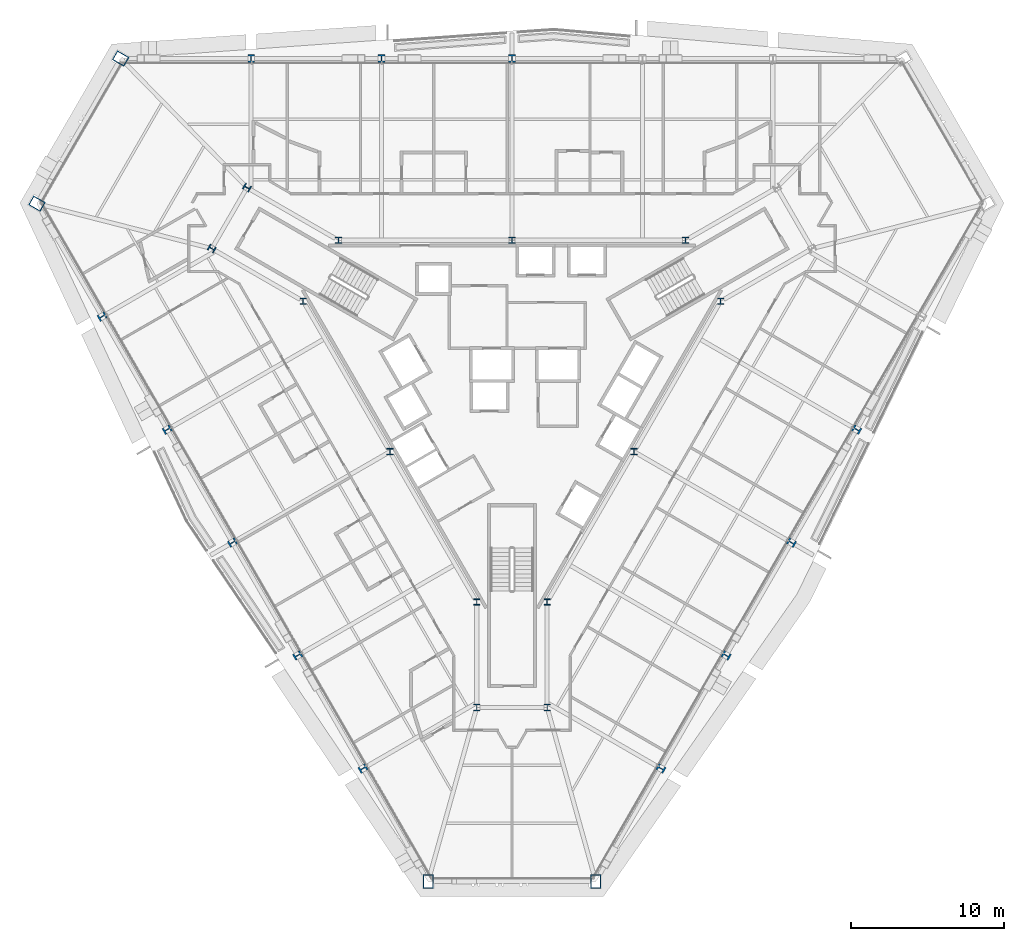
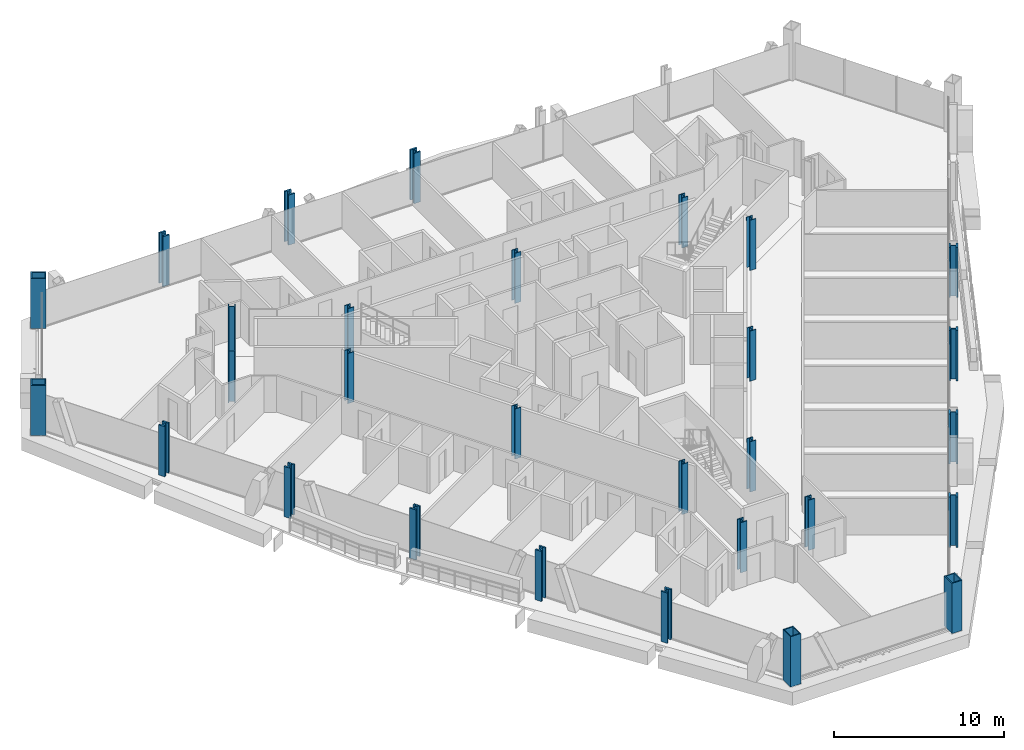
# One storey, part 1 of 18: 29 columns.
"""IFC4 building model written with IfcOpenShell, lengths in metres."""

from ifc_helpers import new_model, si_unit, direction, frame, origin, origin_2d, place, context, subcontext, project, spatial, hollow_rectangle, i_section, extrude, material, material_profile, profile_set, type_object, element, save


model = new_model("IFC4")

# Units and contexts
model_context = context("Model", 3, precision=1e-05, world=origin(), true_north=direction((0.0, 1.0)))
body_context = subcontext(model_context, "Body", "Model", "MODEL_VIEW")
ifc_project = project(units=[si_unit("LENGTHUNIT", "METRE"), si_unit("AREAUNIT", "SQUARE_METRE"), si_unit("VOLUMEUNIT", "CUBIC_METRE"), si_unit("PLANEANGLEUNIT", "RADIAN"), si_unit("MASSUNIT", "GRAM", prefix="KILO")], contexts=[model_context])

# Site, building, storey
site_placement = place(None, origin())
site = spatial("IfcSite", under=ifc_project, at=site_placement, CompositionType="ELEMENT")
building_placement = place(site_placement, origin())
building = spatial("IfcBuilding", under=site, at=building_placement, Name="Verrane Prism Tower", CompositionType="ELEMENT")
storey_placement = place(building_placement, frame((0.0, 0.0, 54.800048828125)))
storey = spatial("IfcBuildingStorey", under=building, at=storey_placement, Name="L11", CompositionType="ELEMENT", Elevation=54.800048828125)

# Columns
ifc_material_1 = material(Name="Steel A992", Category="steel")
ifc_material_profile_1 = material_profile(ifc_material_1, i_section(OverallWidth=0.419189453125, OverallDepth=0.45458984375, WebThickness=0.042236328125, FlangeThickness=0.067626953125, FilletRadius=0.01513671875, at=origin_2d()), Name="W14x370")
ifc_profile_set_1 = profile_set([ifc_material_profile_1], Name="Steel A992")
column_type_1 = type_object("IfcColumnType", Name="Core corner column W14x370", PredefinedType="COLUMN", material=ifc_profile_set_1)
for number, where, z_axis, x_axis, name in (
    (1, (-17.300048828125, 12.639892578125, 0.0), (0.0, 0.0, 1.0), (0.5, 0.866025403784, 0.0), "Core corner column CK-NWm L11"),
    (2, (-19.60009765625, 8.659912109375, 0.0), (0.0, 0.0, 1.0), (0.5, 0.866025403784, 0.0), "Core corner column CK-NWp L11"),
    (3, (-2.300048828125, -21.300048828125, 0.0), (0.0, 0.0, 1.0), (-1.0, 0.0, 0.0), "Core corner column CK-Sm L11"),
    (4, (2.300048828125, -21.300048828125, 0.0), (0.0, 0.0, 1.0), (-1.0, 0.0, 0.0), "Core corner column CK-Sp L11"),
):
    element("IfcColumn", number, at=place(storey_placement, frame(where, z_axis=z_axis, x_axis=x_axis)), inside=storey, type_object=column_type_1, Name=name, PredefinedType="COLUMN", context=body_context, shape_type="SweptSolid", body=[
        extrude(i_section(OverallWidth=0.419189453125, OverallDepth=0.45458984375, WebThickness=0.042236328125, FlangeThickness=0.067626953125, FilletRadius=0.01513671875, at=origin_2d()), origin(), (0.0, 0.0, 1.0), 3.599853515625),
    ])
ifc_material_2 = material(Name="Steel A992", Category="steel")
ifc_material_profile_2 = material_profile(ifc_material_2, i_section(OverallWidth=0.406494140625, OverallDepth=0.41650390625, WebThickness=0.030029296875, FlangeThickness=0.048095703125, FilletRadius=0.01513671875, at=origin_2d()), Name="W14x257")
ifc_profile_set_2 = profile_set([ifc_material_profile_2], Name="Steel A992")
column_type_2 = type_object("IfcColumnType", Name="Core side column W14x257", PredefinedType="COLUMN", material=ifc_profile_set_2)
for number, where, z_axis, x_axis, name in (
    (5, (13.6298828125, 5.219970703125, 0.0), (0.0, 0.0, 1.0), (1.0, 0.0, 0.0), "Core side column CC-NEm L11"),
    (6, (11.330078125, 9.199951171875, 0.0), (0.0, 0.0, 1.0), (1.0, 0.0, 0.0), "Core side column CC-NEp L11"),
    (7, (0.0, 9.199951171875, 0.0), (0.0, 0.0, 1.0), (1.0, 0.0, 0.0), "Core side column CC-N0 L11"),
    (8, (-11.330078125, 9.199951171875, 0.0), (0.0, 0.0, 1.0), (1.0, 0.0, 0.0), "Core side column CC-NWm L11"),
    (9, (-13.6298828125, 5.219970703125, 0.0), (0.0, 0.0, 1.0), (1.0, 0.0, 0.0), "Core side column CC-NWp L11"),
    (10, (-7.969970703125, -4.60009765625, 0.0), (0.0, 0.0, 1.0), (1.0, 0.0, 0.0), "Core side column CC-SW0 L11"),
    (11, (-2.300048828125, -14.419921875, 0.0), (0.0, 0.0, 1.0), (1.0, 0.0, 0.0), "Core side column CC-Sm L11"),
    (12, (2.300048828125, -14.419921875, 0.0), (0.0, 0.0, 1.0), (1.0, 0.0, 0.0), "Core side column CC-Sp L11"),
    (13, (7.969970703125, -4.60009765625, 0.0), (0.0, 0.0, 1.0), (1.0, 0.0, 0.0), "Core side column CC-SE0 L11"),
):
    element("IfcColumn", number, at=place(storey_placement, frame(where, z_axis=z_axis, x_axis=x_axis)), inside=storey, type_object=column_type_2, Name=name, PredefinedType="COLUMN", context=body_context, shape_type="SweptSolid", body=[
        extrude(i_section(OverallWidth=0.406494140625, OverallDepth=0.41650390625, WebThickness=0.030029296875, FlangeThickness=0.048095703125, FilletRadius=0.01513671875, at=origin_2d()), origin(), (0.0, 0.0, 1.0), 3.599853515625),
    ])
ifc_material_3 = material(Name="Steel A572 Grade 50", Category="steel")
ifc_material_profile_3 = material_profile(ifc_material_3, hollow_rectangle(XDim=0.699951171875, YDim=0.89990234375, WallThickness=0.06494140625, at=origin_2d()), Name="BOX 900x700x65")
ifc_profile_set_3 = profile_set([ifc_material_profile_3], Name="Steel A572 Grade 50")
column_type_3 = type_object("IfcColumnType", Name="Megacolumn BOX 900x700x65", PredefinedType="COLUMN", material=ifc_profile_set_3)
for number, where, z_axis, x_axis, name in (
    (14, (-25.550048828125, 21.070068359375, 0.0), (0.0, 0.0, 1.0), (0.5, 0.866025403784, 0.0), "Megacolumn MC-NW.a L11"),
    (15, (-31.02001953125, 11.590087890625, 0.0), (0.0, 0.0, 1.0), (0.5, 0.866025403784, 0.0), "Megacolumn MC-NW.b L11"),
    (16, (-5.469970703125, -32.659912109375, 0.0), (0.0, 0.0, 1.0), (-1.0, 0.0, 0.0), "Megacolumn MC-S.a L11"),
    (17, (5.469970703125, -32.659912109375, 0.0), (0.0, 0.0, 1.0), (-1.0, 0.0, 0.0), "Megacolumn MC-S.b L11"),
):
    element("IfcColumn", number, at=place(storey_placement, frame(where, z_axis=z_axis, x_axis=x_axis)), inside=storey, type_object=column_type_3, Name=name, PredefinedType="COLUMN", context=body_context, shape_type="SweptSolid", body=[
        extrude(hollow_rectangle(XDim=0.699951171875, YDim=0.89990234375, WallThickness=0.06494140625, at=origin_2d()), origin(), (0.0, 0.0, 1.0), 3.599853515625),
    ])
ifc_material_4 = material(Name="Steel A992", Category="steel")
ifc_material_profile_4 = material_profile(ifc_material_4, i_section(OverallWidth=0.44189453125, OverallDepth=0.53076171875, WebThickness=0.06591796875, FlangeThickness=0.105712890625, FilletRadius=0.01513671875, at=origin_2d()), Name="W14x605")
ifc_profile_set_4 = profile_set([ifc_material_profile_4], Name="Steel A992")
column_type_4 = type_object("IfcColumnType", Name="Perimeter column W14x605", PredefinedType="COLUMN", material=ifc_profile_set_4)
for number, where, z_axis, x_axis, name in (
    (18, (0.0, 21.070068359375, 0.0), (0.0, 0.0, 1.0), (1.0, 0.0, 0.0), "Perimeter column PC-N3 L11"),
    (19, (-8.52001953125, 21.070068359375, 0.0), (0.0, 0.0, 1.0), (1.0, 0.0, 0.0), "Perimeter column PC-N4 L11"),
    (20, (-17.030029296875, 21.070068359375, 0.0), (0.0, 0.0, 1.0), (1.0, 0.0, 0.0), "Perimeter column PC-N5 L11"),
    (21, (-26.760009765625, 4.219970703125, 0.0), (0.0, 0.0, 1.0), (-0.5, 0.866025403784, 0.0), "Perimeter column PC-SW1 L11"),
    (22, (-22.510009765625, -3.159912109375, 0.0), (0.0, 0.0, 1.0), (-0.5, 0.866025403784, 0.0), "Perimeter column PC-SW2 L11"),
    (23, (-18.25, -10.5400390625, 0.0), (0.0, 0.0, 1.0), (-0.5, 0.866025403784, 0.0), "Perimeter column PC-SW3 L11"),
    (24, (-13.989990234375, -17.909912109375, 0.0), (0.0, 0.0, 1.0), (-0.5, 0.866025403784, 0.0), "Perimeter column PC-SW4 L11"),
    (25, (-9.72998046875, -25.2900390625, 0.0), (0.0, 0.0, 1.0), (-0.5, 0.866025403784, 0.0), "Perimeter column PC-SW5 L11"),
    (26, (9.72998046875, -25.2900390625, 0.0), (0.0, 0.0, 1.0), (-0.5, -0.866025403784, 0.0), "Perimeter column PC-SE1 L11"),
    (27, (13.989990234375, -17.909912109375, 0.0), (0.0, 0.0, 1.0), (-0.5, -0.866025403784, 0.0), "Perimeter column PC-SE2 L11"),
    (28, (18.25, -10.5400390625, 0.0), (0.0, 0.0, 1.0), (-0.5, -0.866025403784, 0.0), "Perimeter column PC-SE3 L11"),
    (29, (22.510009765625, -3.159912109375, 0.0), (0.0, 0.0, 1.0), (-0.5, -0.866025403784, 0.0), "Perimeter column PC-SE4 L11"),
):
    element("IfcColumn", number, at=place(storey_placement, frame(where, z_axis=z_axis, x_axis=x_axis)), inside=storey, type_object=column_type_4, Name=name, PredefinedType="COLUMN", context=body_context, shape_type="SweptSolid", body=[
        extrude(i_section(OverallWidth=0.44189453125, OverallDepth=0.53076171875, WebThickness=0.06591796875, FlangeThickness=0.105712890625, FilletRadius=0.01513671875, at=origin_2d()), origin(), (0.0, 0.0, 1.0), 3.599853515625),
    ])

save(model, "model.ifc")
